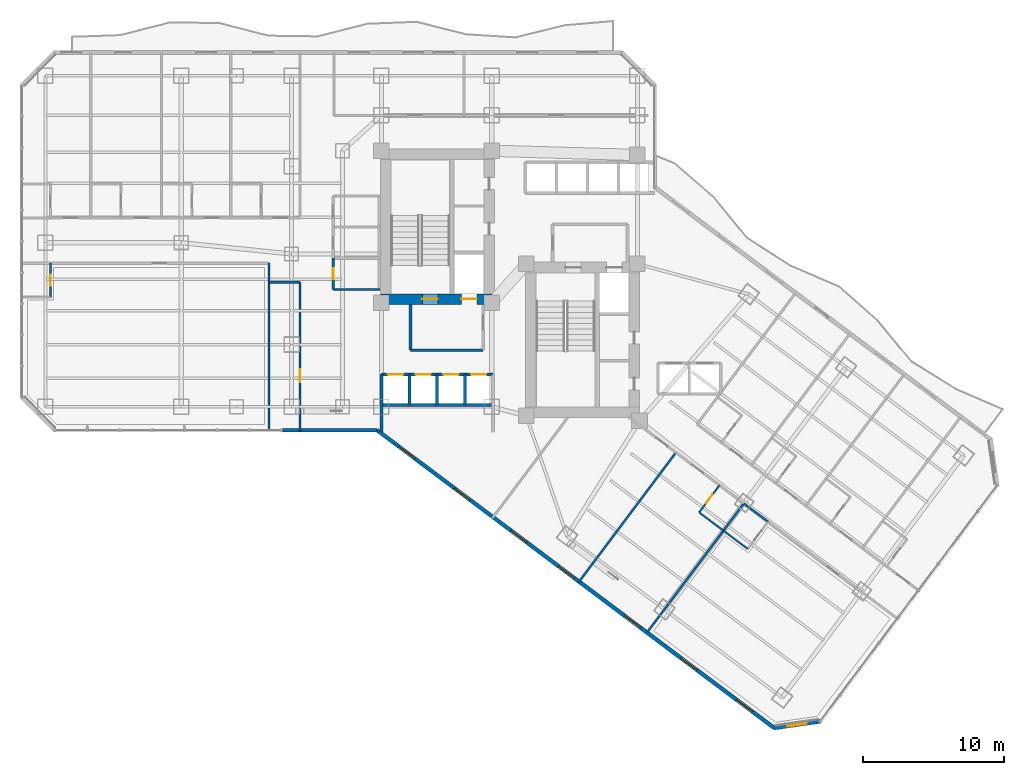
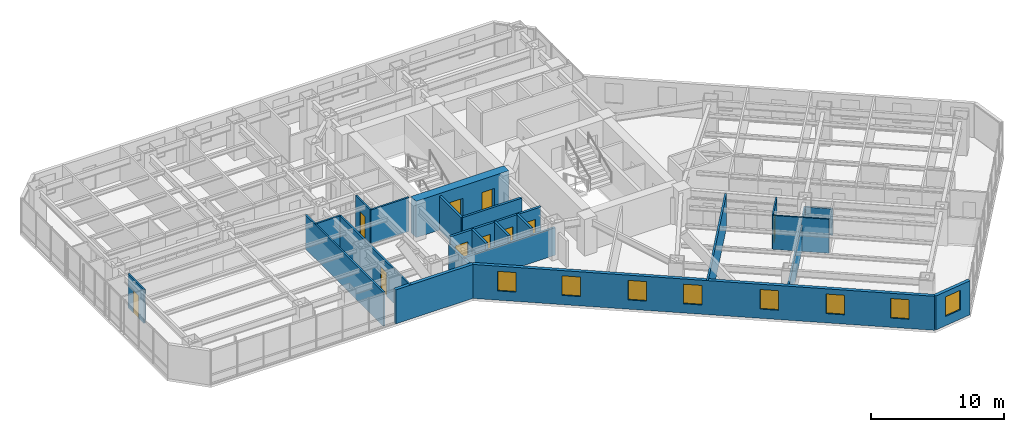
# One storey, part 22 of 33: 24 walls, 10 doors, 8 windows, 18 openings.
"""IFC4 building model written with IfcOpenShell, lengths in metres."""

import ifcopenshell
import ifcopenshell.guid

model = None  # the IFC model being written
_history = None  # IfcOwnerHistory: only IFC2X3 demands one
_inside = {}  # id of a spatial element -> (the spatial element, [elements in it])
_under = {}  # id of a project, library or spatial element -> (it, [spatial elements below it])
_declared = {}  # id of a project -> (the project, [libraries it declares])
_typed = {}  # id of a type object -> (the type object, [elements of that type])
_made_of = {}  # id of a material, layer set ... -> (it, [elements and type objects made of it])


def new_model(schema):
    """Start an empty IFC model of exactly this schema.

    Asked for "IFC4X3", IfcOpenShell would pick the latest addendum, in which some entities
    have other attributes; the version numbers below select the first issue.
    IFC2X3 requires an IfcOwnerHistory on every rooted entity: one is made here for all.
    """
    global model, _history
    if schema == "IFC4X3":
        model = ifcopenshell.file(schema_version=(4, 3, 0, 0))
    else:
        model = ifcopenshell.file(schema=schema)
    _inside.clear()
    _under.clear()
    _declared.clear()
    _typed.clear()
    _made_of.clear()
    _history = None
    if model.schema == "IFC2X3":
        org = make("IfcOrganization", Name="unknown")
        user = make(
            "IfcPersonAndOrganization",
            ThePerson=make("IfcPerson", FamilyName="unknown"),
            TheOrganization=org,
        )
        app = make(
            "IfcApplication",
            ApplicationDeveloper=org,
            Version="unknown",
            ApplicationFullName="unknown",
            ApplicationIdentifier="unknown",
        )
        _history = make(
            "IfcOwnerHistory",
            OwningUser=user,
            OwningApplication=app,
            ChangeAction="ADDED",
            CreationDate=0,
        )
    return model


def make(cls, **values):
    """One entity of the class cls with the attributes given. An attribute that is None is left unset."""
    return model.create_entity(
        cls, **{name: value for name, value in values.items() if value is not None}
    )


def rooted(cls, **values):
    """An entity with a GlobalId (a new one), such as an element, a storey or a relation."""
    return make(cls, GlobalId=ifcopenshell.guid.new(), OwnerHistory=_history, **values)


def si_unit(unit_type, name, prefix=None):
    """IfcSIUnit, for example si_unit("LENGTHUNIT", "METRE", prefix="MILLI")."""
    return make("IfcSIUnit", UnitType=unit_type, Prefix=prefix, Name=name)


def assignment(units):
    """IfcUnitAssignment: the units of a project."""
    return None if units is None else make("IfcUnitAssignment", Units=units)


def point(xyz):
    """IfcCartesianPoint."""
    return None if xyz is None else make("IfcCartesianPoint", Coordinates=xyz)


def direction(xyz):
    """IfcDirection."""
    return None if xyz is None else make("IfcDirection", DirectionRatios=xyz)


def frame(location, z_axis=None, x_axis=None):
    """IfcAxis2Placement3D, a coordinate frame: its origin and axes. An axis left out is left unset."""
    return make(
        "IfcAxis2Placement3D",
        Location=point(location),
        Axis=direction(z_axis),
        RefDirection=direction(x_axis),
    )


def frame_2d(location, x_axis=None):
    """IfcAxis2Placement2D, a coordinate frame in the plane: its origin and x axis."""
    return make(
        "IfcAxis2Placement2D", Location=point(location), RefDirection=direction(x_axis)
    )


def origin():
    """The frame at (0, 0, 0) with its axes left unset."""
    return frame((0.0, 0.0, 0.0))


def place(relative_to, where):
    """IfcLocalPlacement: puts the frame where relative to a parent placement (None: the world)."""
    return make(
        "IfcLocalPlacement", PlacementRelTo=relative_to, RelativePlacement=where
    )


def context(
    kind, dimensions, precision=None, world=None, true_north=None, identifier=None
):
    """IfcGeometricRepresentationContext, for example the 3D "Model" context."""
    return make(
        "IfcGeometricRepresentationContext",
        ContextIdentifier=identifier,
        ContextType=kind,
        CoordinateSpaceDimension=dimensions,
        Precision=precision,
        WorldCoordinateSystem=world,
        TrueNorth=true_north,
    )


def subcontext(parent, identifier, kind, view, scale=None):
    """IfcGeometricRepresentationSubContext, for example "Body" below "Model"."""
    return make(
        "IfcGeometricRepresentationSubContext",
        ContextIdentifier=identifier,
        ContextType=kind,
        ParentContext=parent,
        TargetScale=scale,
        TargetView=view,
    )


def project(units=None, contexts=None):
    """IfcProject with its units and contexts."""
    return rooted(
        "IfcProject",
        Name="project",
        RepresentationContexts=contexts,
        UnitsInContext=assignment(units),
    )


def spatial(cls, under=None, at=None, **own):
    """A site, building, storey or space (cls), placed at a placement, below another one or the project."""
    s = rooted(cls, ObjectPlacement=at, **own)
    if under is not None:
        _under.setdefault(under.id(), (under, []))[1].append(s)
    return s


def profile(cls, at=None, kind="AREA", **sizes):
    """A parametric profile (cls). Its sizes go by their IFC names, for example OverallWidth=200.0."""
    return make(cls, ProfileType=kind, Position=at, **sizes)


def rectangle(**sizes):
    """IfcRectangleProfileDef."""
    return profile("IfcRectangleProfileDef", **sizes)


def extrude(swept, where, along, depth):
    """IfcExtrudedAreaSolid: the profile swept, set in the frame where, extruded along a direction by depth."""
    return make(
        "IfcExtrudedAreaSolid",
        SweptArea=swept,
        Position=where,
        ExtrudedDirection=direction(along),
        Depth=depth,
    )


def shape(context_of_items, identifier, shape_type, items):
    """IfcShapeRepresentation: the items that make up one representation, for example the "Body"."""
    return make(
        "IfcShapeRepresentation",
        ContextOfItems=context_of_items,
        RepresentationIdentifier=identifier,
        RepresentationType=shape_type,
        Items=items,
    )


def material(Name=None, Category=None):
    """IfcMaterial."""
    return make("IfcMaterial", Name=Name, Category=Category)


def layer(
    of_material, thickness, ventilated=None, Name=None, Category=None, Priority=None
):
    """IfcMaterialLayer: one layer of a wall or slab, of a material (None: an air gap)."""
    return make(
        "IfcMaterialLayer",
        Material=of_material,
        LayerThickness=thickness,
        IsVentilated=ventilated,
        Name=Name,
        Category=Category,
        Priority=Priority,
    )


def layer_set(layers, Name=None):
    """IfcMaterialLayerSet."""
    return make("IfcMaterialLayerSet", MaterialLayers=layers, LayerSetName=Name)


def made_of(thing, what):
    """Note that an element or type object is made of a material, layer set ...; save() writes the relation."""
    if what is not None:
        _made_of.setdefault(what.id(), (what, []))[1].append(thing)
    return thing


def type_object(cls, material=None, **own):
    """A type object (cls), such as IfcWallType, which elements share."""
    return made_of(rooted(cls, **own), material)


def element(
    cls,
    number,
    at=None,
    inside=None,
    cuts=None,
    type_object=None,
    material=None,
    context=None,
    identifier="Body",
    shape_type=None,
    held_by="IfcProductDefinitionShape",
    body=None,
    shapes=None,
    **own,
):
    """One element of the class cls, such as IfcWall. Its Tag is "e" and its number.

    at: its placement. inside: the storey or other place that contains it. cuts: it is an
    opening in that element (IfcRelVoidsElement). A single representation is given by context,
    identifier, shape_type and body (its items); several are given by shapes. held_by: the class
    of the entity that holds the representations. save() writes the other relations.
    """
    e = rooted(cls, Tag="e%d" % number, ObjectPlacement=at, **own)
    if body is not None:
        shapes = [shape(context, identifier, shape_type, body)]
    if shapes is not None:
        e.Representation = make(held_by, Representations=shapes)
    if inside is not None:
        _inside.setdefault(inside.id(), (inside, []))[1].append(e)
    if cuts is not None:
        rooted(
            "IfcRelVoidsElement", RelatingBuildingElement=cuts, RelatedOpeningElement=e
        )
    if type_object is not None:
        _typed.setdefault(type_object.id(), (type_object, []))[1].append(e)
    return made_of(e, material)


def fill(opening, filler):
    """IfcRelFillsElement: the door or window that sits in an opening."""
    return rooted(
        "IfcRelFillsElement",
        RelatingOpeningElement=opening,
        RelatedBuildingElement=filler,
    )


def aggregate(whole, parts):
    """IfcRelAggregates: a whole, such as a stair, and the parts it consists of."""
    return rooted("IfcRelAggregates", RelatingObject=whole, RelatedObjects=parts)


def save(model, path):
    """Write the relations noted so far, then the file.

    IfcRelAggregates (storeys below a building ...), IfcRelContainedInSpatialStructure (elements
    in a storey), IfcRelDefinesByType, IfcRelAssociatesMaterial and IfcRelDeclares: one each for
    every whole, place, type object, material and project.
    """
    for whole, parts in _under.values():
        aggregate(whole, parts)
    for where, things in _inside.values():
        rooted(
            "IfcRelContainedInSpatialStructure",
            RelatedElements=things,
            RelatingStructure=where,
        )
    for kind, things in _typed.values():
        rooted("IfcRelDefinesByType", RelatedObjects=things, RelatingType=kind)
    for what, things in _made_of.values():
        rooted("IfcRelAssociatesMaterial", RelatedObjects=things, RelatingMaterial=what)
    for by, libraries in _declared.values():
        rooted("IfcRelDeclares", RelatingContext=by, RelatedDefinitions=libraries)
    model.write(path)


model = new_model("IFC4")

# Units and contexts
model_context = context("Model", 3, precision=1e-05, world=origin(), true_north=direction((0.0, 1.0)))
body_context = subcontext(model_context, "Body", "Model", "MODEL_VIEW")
ifc_project = project(units=[si_unit("LENGTHUNIT", "METRE"), si_unit("AREAUNIT", "SQUARE_METRE"), si_unit("VOLUMEUNIT", "CUBIC_METRE"), si_unit("PLANEANGLEUNIT", "RADIAN"), si_unit("MASSUNIT", "GRAM", prefix="KILO")], contexts=[model_context])

# Site, building, storey
site_placement = place(None, origin())
site = spatial("IfcSite", under=ifc_project, at=site_placement, CompositionType="ELEMENT")
building_placement = place(site_placement, origin())
building = spatial("IfcBuilding", under=site, at=building_placement, Name="Hatsunagi Terrace Concourse", CompositionType="ELEMENT")
storey_placement = place(building_placement, frame((0.0, 0.0, 56.699951171875)))
storey = spatial("IfcBuildingStorey", under=building, at=storey_placement, Name="L14", CompositionType="ELEMENT", Elevation=56.699951171875)

# Wall, openings, doors
ifc_material_1 = material(Name="Concrete Fc60", Category="concrete")
ifc_layer_1 = layer(ifc_material_1, 0.75)
ifc_layer_set_1 = layer_set([ifc_layer_1], Name="CoreShearWall_Fc60_750")
wall_type_1 = type_object("IfcWallType", Name="CoreShearWall_Fc60_750", PredefinedType="SHEAR", material=ifc_layer_set_1)
wall_1_placement = place(storey_placement, frame((25.469970703125, 32.81494140625, 0.0), z_axis=(0.0, 0.0, 1.0), x_axis=(1.0, 0.0, 0.0)))
wall_1 = element("IfcWall", 1, at=wall_1_placement, inside=storey, type_object=wall_type_1, Name="Core A Shear Wall S L14", PredefinedType="SHEAR", context=body_context, shape_type="SweptSolid", body=[
    extrude(rectangle(XDim=8.080078125, YDim=0.75, at=frame_2d((4.0400390625, 0.0))), origin(), (0.0, 0.0, 1.0), 3.35009765625),
])
opening_1_placement = place(wall_1_placement, frame((2.97998046875, 0.0, 0.0)))
opening_1 = element("IfcOpeningElement", 2, at=opening_1_placement, cuts=wall_1, Name="Opening DR-110S", PredefinedType="OPENING", context=body_context, shape_type="SweptSolid", body=[
    extrude(rectangle(XDim=1.10009765625, YDim=2.199951171875, at=frame_2d((0.550048828125, 1.10009765625))), frame((0.0, 0.385009765625, 0.0), z_axis=(0.0, -1.0, 0.0), x_axis=(1.0, 0.0, 0.0)), (0.0, 0.0, 1.0), 0.77001953125),
])
opening_2_placement = place(wall_1_placement, frame((5.72998046875, 0.0, 0.0)))
opening_2 = element("IfcOpeningElement", 3, at=opening_2_placement, cuts=wall_1, Name="Opening LD-01", PredefinedType="OPENING", context=body_context, shape_type="SweptSolid", body=[
    extrude(rectangle(XDim=1.10009765625, YDim=2.14990234375, at=frame_2d((0.550048828125, 1.074951171875))), frame((0.0, 0.385009765625, 0.0), z_axis=(0.0, -1.0, 0.0), x_axis=(1.0, 0.0, 0.0)), (0.0, 0.0, 1.0), 0.77001953125),
])
ifc_material_2 = material(Name="Stainless steel", Category="steel")
door_type_1 = type_object("IfcDoorType", Name="LiftLandingDoor_LD01", OperationType="SLIDING_TO_LEFT", PredefinedType="USERDEFINED", material=ifc_material_2)
door_1_placement = place(opening_2_placement, origin())
door_1 = element("IfcDoor", 4, at=door_1_placement, inside=storey, type_object=door_type_1, Name="Lift landing door FF-01 L14", ObjectType="SLIDING_LANDING_DOOR", OperationType="SLIDING_TO_LEFT", OverallHeight=2.14990234375, OverallWidth=1.10009765625, PredefinedType="USERDEFINED", context=body_context, shape_type="SweptSolid", body=[
    extrude(rectangle(XDim=1.10009765625, YDim=2.14990234375, at=frame_2d((0.550048828125, 1.074951171875))), frame((0.0, 0.02490234375, 0.0), z_axis=(0.0, -1.0, 0.0), x_axis=(1.0, 0.0, 0.0)), (0.0, 0.0, 1.0), 0.050048828125),
])
fill(opening_2, door_1)
ifc_material_3 = material(Name="Painted steel", Category="steel")
door_type_2 = type_object("IfcDoorType", Name="StairFireDoor_EI60_1100", OperationType="NOTDEFINED", PredefinedType="DOOR", material=ifc_material_3)
door_2_placement = place(opening_1_placement, origin())
door_2 = element("IfcDoor", 5, at=door_2_placement, inside=storey, type_object=door_type_2, Name="Stair ST-A Exit Door L14", OperationType="SINGLE_SWING_LEFT", OverallHeight=2.199951171875, OverallWidth=1.10009765625, PredefinedType="DOOR", context=body_context, shape_type="SweptSolid", body=[
    extrude(rectangle(XDim=1.10009765625, YDim=2.199951171875, at=frame_2d((0.550048828125, 1.10009765625))), frame((0.0, 0.02490234375, 0.0), z_axis=(0.0, -1.0, 0.0), x_axis=(1.0, 0.0, 0.0)), (0.0, 0.0, 1.0), 0.050048828125),
])
fill(opening_1, door_2)

# Wall, opening, door
ifc_material_4 = material(Name="Acoustic mineral board", Category="gypsum")
ifc_layer_2 = layer(ifc_material_4, 0.1201171875)
ifc_layer_set_2 = layer_set([ifc_layer_2], Name="PartitionWall_EI30_120")
wall_type_2 = type_object("IfcWallType", Name="PartitionWall_EI30_120", PredefinedType="PARTITIONING", material=ifc_layer_set_2)
wall_2_placement = place(storey_placement, frame((2.14990234375, 32.949951171875, 0.0), z_axis=(0.0, 0.0, 1.0), x_axis=(0.0, 1.0, 0.0)))
wall_2 = element("IfcWall", 6, at=wall_2_placement, inside=storey, type_object=wall_type_2, Name="Interior Partition IW-L14-066", PredefinedType="PARTITIONING", context=body_context, shape_type="SweptSolid", body=[
    extrude(rectangle(XDim=2.400146484375, YDim=0.1201171875, at=frame_2d((1.2001953125, 0.0))), origin(), (0.0, 0.0, 1.0), 3.130126953125),
])
opening_3_placement = place(wall_2_placement, frame((0.800048828125, 0.0, 0.0)))
opening_3 = element("IfcOpeningElement", 7, at=opening_3_placement, cuts=wall_2, Name="Opening DR-080", PredefinedType="OPENING", context=body_context, shape_type="SweptSolid", body=[
    extrude(rectangle(XDim=0.800048828125, YDim=2.06005859375, at=frame_2d((0.39990234375, 1.030029296875))), frame((0.0, 0.070068359375, 0.0), z_axis=(0.0, -1.0, 0.0), x_axis=(1.0, 0.0, 0.0)), (0.0, 0.0, 1.0), 0.14013671875),
])
ifc_material_5 = material(Name="Hardwood timber", Category="wood")
door_type_3 = type_object("IfcDoorType", Name="BathroomDoor_800", OperationType="NOTDEFINED", PredefinedType="DOOR", material=ifc_material_5)
door_3_placement = place(opening_3_placement, origin())
door_3 = element("IfcDoor", 8, at=door_3_placement, inside=storey, type_object=door_type_3, Name="En-Suite Bathroom L14-S1 Door", OperationType="SINGLE_SWING_RIGHT", OverallHeight=2.06005859375, OverallWidth=0.800048828125, PredefinedType="DOOR", context=body_context, shape_type="SweptSolid", body=[
    extrude(rectangle(XDim=0.800048828125, YDim=2.06005859375, at=frame_2d((0.39990234375, 1.030029296875))), frame((0.0, 0.02490234375, 0.0), z_axis=(0.0, -1.0, 0.0), x_axis=(1.0, 0.0, 0.0)), (0.0, 0.0, 1.0), 0.050048828125),
])
fill(opening_3, door_3)

wall_3_placement = place(storey_placement, frame((48.010009765625, 17.72998046875, 0.0), z_axis=(0.0, 0.0, 1.0), x_axis=(0.6, 0.8, 0.0)))
wall_3 = element("IfcWall", 9, at=wall_3_placement, inside=storey, type_object=wall_type_2, Name="Interior Partition IW-L14-093", PredefinedType="PARTITIONING", context=body_context, shape_type="SweptSolid", body=[
    extrude(rectangle(XDim=2.39990234375, YDim=0.1201171875, at=frame_2d((1.199951171875, 0.0))), origin(), (0.0, 0.0, 1.0), 3.130126953125),
])
opening_4_placement = place(wall_3_placement, frame((0.800048828125, 0.0, 0.0)))
opening_4 = element("IfcOpeningElement", 10, at=opening_4_placement, cuts=wall_3, Name="Opening DR-080", PredefinedType="OPENING", context=body_context, shape_type="SweptSolid", body=[
    extrude(rectangle(XDim=0.800048828125, YDim=2.06005859375, at=frame_2d((0.39990234375, 1.030029296875))), frame((0.0, 0.070068359375, 0.0), z_axis=(0.0, -1.0, 0.0), x_axis=(1.0, 0.0, 0.0)), (0.0, 0.0, 1.0), 0.14013671875),
])
door_4_placement = place(opening_4_placement, origin())
door_4 = element("IfcDoor", 11, at=door_4_placement, inside=storey, type_object=door_type_3, Name="En-Suite Bathroom L14-SESW1 Door", OperationType="SINGLE_SWING_LEFT", OverallHeight=2.06005859375, OverallWidth=0.800048828125, PredefinedType="DOOR", context=body_context, shape_type="SweptSolid", body=[
    extrude(rectangle(XDim=0.800048828125, YDim=2.06005859375, at=frame_2d((0.39990234375, 1.030029296875))), frame((0.0, 0.02490234375, 0.0), z_axis=(0.0, -1.0, 0.0), x_axis=(1.0, 0.0, 0.0)), (0.0, 0.0, 1.0), 0.050048828125),
])
fill(opening_4, door_4)

# Walls
for number, where, z_axis, x_axis, name in (
    (12, (48.010009765625, 17.72998046875, 0.0), (0.0, 0.0, 1.0), (0.79998637334, -0.60001816845, 0.0), "Interior Partition IW-L14-094"),
    (13, (49.72998046875, 16.43994140625, 0.0), (0.0, 0.0, 1.0), (0.79998637334, -0.60001816845, 0.0), "Interior Partition IW-L14-099"),
):
    element("IfcWall", number, at=place(storey_placement, frame(where, z_axis=z_axis, x_axis=x_axis)), inside=storey, type_object=wall_type_2, Name=name, PredefinedType="PARTITIONING", context=body_context, shape_type="SweptSolid", body=[
        extrude(rectangle(XDim=2.14990234375, YDim=0.1201171875, at=frame_2d((1.074951171875, 0.0))), origin(), (0.0, 0.0, 1.0), 3.130126953125),
    ])
ifc_material_6 = material(Name="Acoustic mineral board", Category="gypsum")
ifc_layer_3 = layer(ifc_material_6, 0.14990234375)
ifc_layer_set_3 = layer_set([ifc_layer_3], Name="PartitionWall_EI60_150")
wall_type_3 = type_object("IfcWallType", Name="PartitionWall_EI60_150", PredefinedType="PARTITIONING", material=ifc_layer_set_3)
wall_4_placement = place(storey_placement, frame((22.14990234375, 33.5, 0.0), z_axis=(0.0, 0.0, 1.0), x_axis=(1.0, 0.0, 0.0)))
element("IfcWall", 14, at=wall_4_placement, inside=storey, type_object=wall_type_3, Name="Interior Partition IW-L14-029", PredefinedType="PARTITIONING", context=body_context, shape_type="SweptSolid", body=[
    extrude(rectangle(XDim=3.300048828125, YDim=0.14990234375, at=frame_2d((1.64990234375, 0.0))), origin(), (0.0, 0.0, 1.0), 3.130126953125),
])

# Wall, opening, door
wall_5_placement = place(storey_placement, frame((22.14990234375, 33.5, 0.0), z_axis=(0.0, 0.0, 1.0), x_axis=(0.0, 1.0, 0.0)))
wall_5 = element("IfcWall", 15, at=wall_5_placement, inside=storey, type_object=wall_type_3, Name="Interior Partition IW-L14-034", PredefinedType="PARTITIONING", context=body_context, shape_type="SweptSolid", body=[
    extrude(rectangle(XDim=2.199951171875, YDim=0.14990234375, at=frame_2d((1.10009765625, 0.0))), origin(), (0.0, 0.0, 1.0), 3.130126953125),
])
opening_5_placement = place(wall_5_placement, frame((0.699951171875, 0.0, 0.0)))
opening_5 = element("IfcOpeningElement", 16, at=opening_5_placement, cuts=wall_5, Name="Opening DR-080", PredefinedType="OPENING", context=body_context, shape_type="SweptSolid", body=[
    extrude(rectangle(XDim=0.800048828125, YDim=2.06005859375, at=frame_2d((0.39990234375, 1.030029296875))), frame((0.0, 0.0849609375, 0.0), z_axis=(0.0, -1.0, 0.0), x_axis=(1.0, 0.0, 0.0)), (0.0, 0.0, 1.0), 0.169921875),
])
door_5_placement = place(opening_5_placement, origin())
door_5 = element("IfcDoor", 17, at=door_5_placement, inside=storey, type_object=door_type_3, Name="Accessible WC Door L14", OperationType="SINGLE_SWING_RIGHT", OverallHeight=2.06005859375, OverallWidth=0.800048828125, PredefinedType="DOOR", context=body_context, shape_type="SweptSolid", body=[
    extrude(rectangle(XDim=0.800048828125, YDim=2.06005859375, at=frame_2d((0.39990234375, 1.030029296875))), frame((0.0, 0.02490234375, 0.0), z_axis=(0.0, -1.0, 0.0), x_axis=(1.0, 0.0, 0.0)), (0.0, 0.0, 1.0), 0.050048828125),
])
fill(opening_5, door_5)

# Walls
wall_6_placement = place(storey_placement, frame((39.464111328125, 12.751953125, 0.0), z_axis=(0.0, 0.0, 1.0), x_axis=(0.6, 0.8, 0.0)))
element("IfcWall", 18, at=wall_6_placement, inside=storey, type_object=wall_type_3, Name="Interior Partition IW-L14-043", PredefinedType="PARTITIONING", context=body_context, shape_type="SweptSolid", body=[
    extrude(rectangle(XDim=11.510009765625, YDim=0.14990234375, at=frame_2d((5.7548828125, 0.0))), origin(), (0.0, 0.0, 1.0), 3.130126953125),
])
wall_7_placement = place(storey_placement, frame((17.60009765625, 23.60009765625, 0.0), z_axis=(0.0, 0.0, 1.0), x_axis=(0.0, 1.0, 0.0)))
element("IfcWall", 19, at=wall_7_placement, inside=storey, type_object=wall_type_3, Name="Interior Partition IW-L14-068", PredefinedType="PARTITIONING", context=body_context, shape_type="SweptSolid", body=[
    extrude(rectangle(XDim=11.75, YDim=0.14990234375, at=frame_2d((5.875, 0.0))), origin(), (0.0, 0.0, 1.0), 3.130126953125),
])
wall_8_placement = place(storey_placement, frame((17.60009765625, 34.0, 0.0), z_axis=(0.0, 0.0, 1.0), x_axis=(1.0, 0.0, 0.0)))
element("IfcWall", 20, at=wall_8_placement, inside=storey, type_object=wall_type_3, Name="Interior Partition IW-L14-069", PredefinedType="PARTITIONING", context=body_context, shape_type="SweptSolid", body=[
    extrude(rectangle(XDim=2.199951171875, YDim=0.14990234375, at=frame_2d((1.10009765625, 0.0))), origin(), (0.0, 0.0, 1.0), 3.130126953125),
])

# Wall, opening, door
wall_9_placement = place(storey_placement, frame((19.800048828125, 23.43994140625, 0.0), z_axis=(0.0, 0.0, 1.0), x_axis=(0.0, 1.0, 0.0)))
wall_9 = element("IfcWall", 21, at=wall_9_placement, inside=storey, type_object=wall_type_3, Name="Interior Partition IW-L14-070", PredefinedType="PARTITIONING", context=body_context, shape_type="SweptSolid", body=[
    extrude(rectangle(XDim=10.56005859375, YDim=0.14990234375, at=frame_2d((5.280029296875, 0.0))), origin(), (0.0, 0.0, 1.0), 3.130126953125),
])
opening_6_placement = place(wall_9_placement, frame((3.4951171875, 0.0, 0.0)))
opening_6 = element("IfcOpeningElement", 22, at=opening_6_placement, cuts=wall_9, Name="Opening DR-090", PredefinedType="OPENING", context=body_context, shape_type="SweptSolid", body=[
    extrude(rectangle(XDim=0.89990234375, YDim=2.14990234375, at=frame_2d((0.449951171875, 1.074951171875))), frame((0.0, 0.0849609375, 0.0), z_axis=(0.0, -1.0, 0.0), x_axis=(1.0, 0.0, 0.0)), (0.0, 0.0, 1.0), 0.169921875),
])
ifc_material_7 = material(Name="Hardwood timber", Category="wood")
door_type_4 = type_object("IfcDoorType", Name="CrownPavilionDoor_EI30_900", OperationType="NOTDEFINED", PredefinedType="DOOR", material=ifc_material_7)
door_6_placement = place(opening_6_placement, origin())
door_6 = element("IfcDoor", 23, at=door_6_placement, inside=storey, type_object=door_type_4, Name="Catering Pantry L14-HPAN Door", OperationType="SINGLE_SWING_RIGHT", OverallHeight=2.14990234375, OverallWidth=0.89990234375, PredefinedType="DOOR", context=body_context, shape_type="SweptSolid", body=[
    extrude(rectangle(XDim=0.89990234375, YDim=2.14990234375, at=frame_2d((0.449951171875, 1.074951171875))), frame((0.0, 0.02490234375, 0.0), z_axis=(0.0, -1.0, 0.0), x_axis=(1.0, 0.0, 0.0)), (0.0, 0.0, 1.0), 0.050048828125),
])
fill(opening_6, door_6)

# Walls
wall_10_placement = place(storey_placement, frame((44.360107421875, 9.280029296875, 0.0), z_axis=(0.0, 0.0, 1.0), x_axis=(0.599986233332, 0.800010324816, 0.0)))
element("IfcWall", 24, at=wall_10_placement, inside=storey, type_object=wall_type_3, Name="Interior Partition IW-L14-095", PredefinedType="PARTITIONING", context=body_context, shape_type="SweptSolid", body=[
    extrude(rectangle(XDim=11.349853515625, YDim=0.14990234375, at=frame_2d((5.6748046875, 0.0))), origin(), (0.0, 0.0, 1.0), 2.425048828125),
])
wall_11_placement = place(storey_placement, frame((51.169921875, 18.360107421875, 0.0), z_axis=(0.0, 0.0, 1.0), x_axis=(0.79998637334, -0.60001816845, 0.0)))
element("IfcWall", 25, at=wall_11_placement, inside=storey, type_object=wall_type_3, Name="Interior Partition IW-L14-096", PredefinedType="PARTITIONING", context=body_context, shape_type="SweptSolid", body=[
    extrude(rectangle(XDim=2.14990234375, YDim=0.14990234375, at=frame_2d((1.074951171875, 0.0))), origin(), (0.0, 0.0, 1.0), 2.425048828125),
])
ifc_material_8 = material(Name="Acoustic mineral board", Category="gypsum")
ifc_layer_4 = layer(ifc_material_8, 0.199951171875)
ifc_layer_set_4 = layer_set([ifc_layer_4], Name="ShaftWall_EI120_200")
wall_type_4 = type_object("IfcWallType", Name="ShaftWall_EI120_200", PredefinedType="STANDARD", material=ifc_layer_set_4)
wall_12_placement = place(storey_placement, frame((27.60009765625, 29.199951171875, 0.0), z_axis=(0.0, 0.0, 1.0), x_axis=(1.0, 0.0, 0.0)))
element("IfcWall", 26, at=wall_12_placement, inside=storey, type_object=wall_type_4, Name="Interior Partition IW-L14-005", PredefinedType="STANDARD", context=body_context, shape_type="SweptSolid", body=[
    extrude(rectangle(XDim=5.14990234375, YDim=0.199951171875, at=frame_2d((2.574951171875, 0.0))), origin(), (0.0, 0.0, 1.0), 3.130126953125),
])
wall_13_placement = place(storey_placement, frame((27.60009765625, 29.199951171875, 0.0), z_axis=(0.0, 0.0, 1.0), x_axis=(0.0, 1.0, 0.0)))
element("IfcWall", 27, at=wall_13_placement, inside=storey, type_object=wall_type_4, Name="Interior Partition IW-L14-006", PredefinedType="STANDARD", context=body_context, shape_type="SweptSolid", body=[
    extrude(rectangle(XDim=3.239990234375, YDim=0.199951171875, at=frame_2d((1.6201171875, 0.0))), origin(), (0.0, 0.0, 1.0), 3.130126953125),
])
wall_14_placement = place(storey_placement, frame((25.550048828125, 23.39990234375, 0.0), z_axis=(0.0, 0.0, 1.0), x_axis=(0.0, 1.0, 0.0)))
element("IfcWall", 28, at=wall_14_placement, inside=storey, type_object=wall_type_4, Name="Interior Partition IW-L14-011", PredefinedType="STANDARD", context=body_context, shape_type="SweptSolid", body=[
    extrude(rectangle(XDim=4.080078125, YDim=0.199951171875, at=frame_2d((2.0400390625, 0.0))), origin(), (0.0, 0.0, 1.0), 2.425048828125),
])
wall_15_placement = place(storey_placement, frame((25.550048828125, 25.320068359375, 0.0), z_axis=(0.0, 0.0, 1.0), x_axis=(1.0, 0.0, 0.0)))
element("IfcWall", 29, at=wall_15_placement, inside=storey, type_object=wall_type_4, Name="Interior Partition IW-L14-013", PredefinedType="STANDARD", context=body_context, shape_type="SweptSolid", body=[
    extrude(rectangle(XDim=7.8798828125, YDim=0.199951171875, at=frame_2d((3.93994140625, 0.0))), origin(), (0.0, 0.0, 1.0), 2.525146484375),
])
for number, where, z_axis, x_axis, name in (
    (30, (27.530029296875, 25.320068359375, 0.0), (0.0, 0.0, 1.0), (0.0, 1.0, 0.0), "Interior Partition IW-L14-014"),
    (31, (29.489990234375, 25.320068359375, 0.0), (0.0, 0.0, 1.0), (0.0, 1.0, 0.0), "Interior Partition IW-L14-015"),
    (32, (31.449951171875, 25.320068359375, 0.0), (0.0, 0.0, 1.0), (0.0, 1.0, 0.0), "Interior Partition IW-L14-016"),
):
    element("IfcWall", number, at=place(storey_placement, frame(where, z_axis=z_axis, x_axis=x_axis)), inside=storey, type_object=wall_type_4, Name=name, PredefinedType="STANDARD", context=body_context, shape_type="SweptSolid", body=[
        extrude(rectangle(XDim=2.159912109375, YDim=0.199951171875, at=frame_2d((1.080078125, 0.0))), origin(), (0.0, 0.0, 1.0), 3.130126953125),
    ])

# Wall, openings, doors
wall_16_placement = place(storey_placement, frame((25.550048828125, 27.47998046875, 0.0), z_axis=(0.0, 0.0, 1.0), x_axis=(1.0, 0.0, 0.0)))
wall_16 = element("IfcWall", 33, at=wall_16_placement, inside=storey, type_object=wall_type_4, Name="Interior Partition IW-L14-017", PredefinedType="STANDARD", context=body_context, shape_type="SweptSolid", body=[
    extrude(rectangle(XDim=7.8798828125, YDim=0.199951171875, at=frame_2d((3.93994140625, 0.0))), origin(), (0.0, 0.0, 1.0), 3.130126953125),
])
opening_7_placement = place(wall_16_placement, frame((0.4599609375, 0.0, 0.0)))
opening_7 = element("IfcOpeningElement", 34, at=opening_7_placement, cuts=wall_16, Name="Opening LD-03", PredefinedType="OPENING", context=body_context, shape_type="SweptSolid", body=[
    extrude(rectangle(XDim=1.080078125, YDim=2.14990234375, at=frame_2d((0.5400390625, 1.074951171875))), frame((0.0, 0.10986328125, 0.0), z_axis=(0.0, -1.0, 0.0), x_axis=(1.0, 0.0, 0.0)), (0.0, 0.0, 1.0), 0.219970703125),
])
opening_8_placement = place(wall_16_placement, frame((2.419921875, 0.0, 0.0)))
opening_8 = element("IfcOpeningElement", 35, at=opening_8_placement, cuts=wall_16, Name="Opening LD-03", PredefinedType="OPENING", context=body_context, shape_type="SweptSolid", body=[
    extrude(rectangle(XDim=1.080078125, YDim=2.14990234375, at=frame_2d((0.5400390625, 1.074951171875))), frame((0.0, 0.10986328125, 0.0), z_axis=(0.0, -1.0, 0.0), x_axis=(1.0, 0.0, 0.0)), (0.0, 0.0, 1.0), 0.219970703125),
])
opening_9_placement = place(wall_16_placement, frame((4.3798828125, 0.0, 0.0)))
opening_9 = element("IfcOpeningElement", 36, at=opening_9_placement, cuts=wall_16, Name="Opening LD-03", PredefinedType="OPENING", context=body_context, shape_type="SweptSolid", body=[
    extrude(rectangle(XDim=1.080078125, YDim=2.14990234375, at=frame_2d((0.5400390625, 1.074951171875))), frame((0.0, 0.10986328125, 0.0), z_axis=(0.0, -1.0, 0.0), x_axis=(1.0, 0.0, 0.0)), (0.0, 0.0, 1.0), 0.219970703125),
])
opening_10_placement = place(wall_16_placement, frame((6.340087890625, 0.0, 0.0)))
opening_10 = element("IfcOpeningElement", 37, at=opening_10_placement, cuts=wall_16, Name="Opening LD-03", PredefinedType="OPENING", context=body_context, shape_type="SweptSolid", body=[
    extrude(rectangle(XDim=1.080078125, YDim=2.14990234375, at=frame_2d((0.5400390625, 1.074951171875))), frame((0.0, 0.10986328125, 0.0), z_axis=(0.0, -1.0, 0.0), x_axis=(1.0, 0.0, 0.0)), (0.0, 0.0, 1.0), 0.219970703125),
])
ifc_material_9 = material(Name="Stainless steel", Category="steel")
door_type_5 = type_object("IfcDoorType", Name="LiftLandingDoor_LD03", OperationType="SLIDING_TO_LEFT", PredefinedType="USERDEFINED", material=ifc_material_9)
door_7_placement = place(opening_7_placement, origin())
door_7 = element("IfcDoor", 38, at=door_7_placement, inside=storey, type_object=door_type_5, Name="Lift landing door PL-01 L14", ObjectType="SLIDING_LANDING_DOOR", OperationType="SLIDING_TO_LEFT", OverallHeight=2.14990234375, OverallWidth=1.080078125, PredefinedType="USERDEFINED", context=body_context, shape_type="SweptSolid", body=[
    extrude(rectangle(XDim=1.080078125, YDim=2.14990234375, at=frame_2d((0.5400390625, 1.074951171875))), frame((0.0, 0.02490234375, 0.0), z_axis=(0.0, -1.0, 0.0), x_axis=(1.0, 0.0, 0.0)), (0.0, 0.0, 1.0), 0.050048828125),
])
fill(opening_7, door_7)
door_8_placement = place(opening_8_placement, origin())
door_8 = element("IfcDoor", 39, at=door_8_placement, inside=storey, type_object=door_type_5, Name="Lift landing door PL-02 L14", ObjectType="SLIDING_LANDING_DOOR", OperationType="SLIDING_TO_LEFT", OverallHeight=2.14990234375, OverallWidth=1.080078125, PredefinedType="USERDEFINED", context=body_context, shape_type="SweptSolid", body=[
    extrude(rectangle(XDim=1.080078125, YDim=2.14990234375, at=frame_2d((0.5400390625, 1.074951171875))), frame((0.0, 0.02490234375, 0.0), z_axis=(0.0, -1.0, 0.0), x_axis=(1.0, 0.0, 0.0)), (0.0, 0.0, 1.0), 0.050048828125),
])
fill(opening_8, door_8)
door_9_placement = place(opening_9_placement, origin())
door_9 = element("IfcDoor", 40, at=door_9_placement, inside=storey, type_object=door_type_5, Name="Lift landing door PL-03 L14", ObjectType="SLIDING_LANDING_DOOR", OperationType="SLIDING_TO_LEFT", OverallHeight=2.14990234375, OverallWidth=1.080078125, PredefinedType="USERDEFINED", context=body_context, shape_type="SweptSolid", body=[
    extrude(rectangle(XDim=1.080078125, YDim=2.14990234375, at=frame_2d((0.5400390625, 1.074951171875))), frame((0.0, 0.02490234375, 0.0), z_axis=(0.0, -1.0, 0.0), x_axis=(1.0, 0.0, 0.0)), (0.0, 0.0, 1.0), 0.050048828125),
])
fill(opening_9, door_9)
door_10_placement = place(opening_10_placement, origin())
door_10 = element("IfcDoor", 41, at=door_10_placement, inside=storey, type_object=door_type_5, Name="Lift landing door PL-04 L14", ObjectType="SLIDING_LANDING_DOOR", OperationType="SLIDING_TO_LEFT", OverallHeight=2.14990234375, OverallWidth=1.080078125, PredefinedType="USERDEFINED", context=body_context, shape_type="SweptSolid", body=[
    extrude(rectangle(XDim=1.080078125, YDim=2.14990234375, at=frame_2d((0.5400390625, 1.074951171875))), frame((0.0, 0.02490234375, 0.0), z_axis=(0.0, -1.0, 0.0), x_axis=(1.0, 0.0, 0.0)), (0.0, 0.0, 1.0), 0.050048828125),
])
fill(opening_10, door_10)

# Wall, opening, window
ifc_material_10 = material(Name="Autoclaved Lightweight Concrete and Terracotta Cladding", Category="masonry")
ifc_layer_5 = layer(ifc_material_10, 0.280029296875)
ifc_layer_set_5 = layer_set([ifc_layer_5], Name="TerracottaSpandrelWall_280")
wall_type_5 = type_object("IfcWallType", Name="TerracottaSpandrelWall_280", PredefinedType="STANDARD", material=ifc_layer_set_5)
wall_17_placement = place(storey_placement, frame((56.56298828125, 2.949951171875, 0.0), z_axis=(0.0, 0.0, 1.0), x_axis=(-0.989977778067, -0.141223223777, 0.0)))
wall_17 = element("IfcWall", 42, at=wall_17_placement, inside=storey, type_object=wall_type_5, Name="Exterior Spandrel Wall EW-L14-04", PredefinedType="STANDARD", context=body_context, shape_type="SweptSolid", body=[
    extrude(rectangle(XDim=3.27783203125, YDim=0.280029296875, at=frame_2d((1.638916015625, 0.0))), origin(), (0.0, 0.0, 1.0), 3.130126953125),
])
opening_11_placement = place(wall_17_placement, frame((0.93896484375, 0.0, 0.85009765625)))
opening_11 = element("IfcOpeningElement", 43, at=opening_11_placement, cuts=wall_17, Name="Opening WIN-02", PredefinedType="OPENING", context=body_context, shape_type="SweptSolid", body=[
    extrude(rectangle(XDim=1.39990234375, YDim=1.800048828125, at=frame_2d((0.699951171875, 0.89990234375))), frame((0.0, 0.14990234375, 0.0), z_axis=(0.0, -1.0, 0.0), x_axis=(1.0, 0.0, 0.0)), (0.0, 0.0, 1.0), 0.300048828125),
])
ifc_material_11 = material(Name="Thermally Broken Aluminium and Low-E Triple Glazing", Category="aluminium")
window_type = type_object("IfcWindowType", Name="HotelOperableVentWindow_1400x1800", PartitioningType="DOUBLE_PANEL_VERTICAL", PredefinedType="WINDOW", material=ifc_material_11)
window_1_placement = place(opening_11_placement, origin())
window_1 = element("IfcWindow", 44, at=window_1_placement, inside=storey, type_object=window_type, Name="Hotel Guestroom Window L14-04-1", OverallHeight=1.800048828125, OverallWidth=1.39990234375, PartitioningType="SINGLE_PANEL", PredefinedType="WINDOW", context=body_context, shape_type="SweptSolid", body=[
    extrude(rectangle(XDim=1.39990234375, YDim=1.800048828125, at=frame_2d((0.699951171875, 0.89990234375))), frame((0.0, 0.030029296875, 0.0), z_axis=(0.0, -1.0, 0.0), x_axis=(1.0, 0.0, 0.0)), (0.0, 0.0, 1.0), 0.06005859375),
])
fill(opening_11, window_1)

# Wall, openings, windows
wall_18_placement = place(storey_placement, frame((53.318115234375, 2.487060546875, 0.0), z_axis=(0.0, 0.0, 1.0), x_axis=(-0.800004174678, 0.599994433723, 0.0)))
wall_18 = element("IfcWall", 45, at=wall_18_placement, inside=storey, type_object=wall_type_5, Name="Exterior Spandrel Wall EW-L14-05", PredefinedType="STANDARD", context=body_context, shape_type="SweptSolid", body=[
    extrude(rectangle(XDim=35.088623046875, YDim=0.280029296875, at=frame_2d((17.54443359375, 0.0))), origin(), (0.0, 0.0, 1.0), 3.130126953125),
])
opening_12_placement = place(wall_18_placement, frame((1.930908203125, 0.0, 0.85009765625)))
opening_12 = element("IfcOpeningElement", 46, at=opening_12_placement, cuts=wall_18, Name="Opening WIN-02", PredefinedType="OPENING", context=body_context, shape_type="SweptSolid", body=[
    extrude(rectangle(XDim=1.39990234375, YDim=1.800048828125, at=frame_2d((0.699951171875, 0.89990234375))), frame((0.0, 0.14990234375, 0.0), z_axis=(0.0, -1.0, 0.0), x_axis=(1.0, 0.0, 0.0)), (0.0, 0.0, 1.0), 0.300048828125),
])
opening_13_placement = place(wall_18_placement, frame((6.819091796875, 0.0, 0.85009765625)))
opening_13 = element("IfcOpeningElement", 47, at=opening_13_placement, cuts=wall_18, Name="Opening WIN-02", PredefinedType="OPENING", context=body_context, shape_type="SweptSolid", body=[
    extrude(rectangle(XDim=1.39990234375, YDim=1.800048828125, at=frame_2d((0.699951171875, 0.89990234375))), frame((0.0, 0.14990234375, 0.0), z_axis=(0.0, -1.0, 0.0), x_axis=(1.0, 0.0, 0.0)), (0.0, 0.0, 1.0), 0.300048828125),
])
opening_14_placement = place(wall_18_placement, frame((11.83203125, 0.0, 0.85009765625)))
opening_14 = element("IfcOpeningElement", 48, at=opening_14_placement, cuts=wall_18, Name="Opening WIN-02", PredefinedType="OPENING", context=body_context, shape_type="SweptSolid", body=[
    extrude(rectangle(XDim=1.39990234375, YDim=1.800048828125, at=frame_2d((0.699951171875, 0.89990234375))), frame((0.0, 0.14990234375, 0.0), z_axis=(0.0, -1.0, 0.0), x_axis=(1.0, 0.0, 0.0)), (0.0, 0.0, 1.0), 0.300048828125),
])
opening_15_placement = place(wall_18_placement, frame((17.64697265625, 0.0, 0.85009765625)))
opening_15 = element("IfcOpeningElement", 49, at=opening_15_placement, cuts=wall_18, Name="Opening WIN-02", PredefinedType="OPENING", context=body_context, shape_type="SweptSolid", body=[
    extrude(rectangle(XDim=1.39990234375, YDim=1.800048828125, at=frame_2d((0.699951171875, 0.89990234375))), frame((0.0, 0.14990234375, 0.0), z_axis=(0.0, -1.0, 0.0), x_axis=(1.0, 0.0, 0.0)), (0.0, 0.0, 1.0), 0.300048828125),
])
opening_16_placement = place(wall_18_placement, frame((21.85693359375, 0.0, 0.85009765625)))
opening_16 = element("IfcOpeningElement", 50, at=opening_16_placement, cuts=wall_18, Name="Opening WIN-02", PredefinedType="OPENING", context=body_context, shape_type="SweptSolid", body=[
    extrude(rectangle(XDim=1.39990234375, YDim=1.800048828125, at=frame_2d((0.699951171875, 0.89990234375))), frame((0.0, 0.14990234375, 0.0), z_axis=(0.0, -1.0, 0.0), x_axis=(1.0, 0.0, 0.0)), (0.0, 0.0, 1.0), 0.300048828125),
])
opening_17_placement = place(wall_18_placement, frame((26.8701171875, 0.0, 0.85009765625)))
opening_17 = element("IfcOpeningElement", 51, at=opening_17_placement, cuts=wall_18, Name="Opening WIN-02", PredefinedType="OPENING", context=body_context, shape_type="SweptSolid", body=[
    extrude(rectangle(XDim=1.39990234375, YDim=1.800048828125, at=frame_2d((0.699951171875, 0.89990234375))), frame((0.0, 0.14990234375, 0.0), z_axis=(0.0, -1.0, 0.0), x_axis=(1.0, 0.0, 0.0)), (0.0, 0.0, 1.0), 0.300048828125),
])
opening_18_placement = place(wall_18_placement, frame((31.757080078125, 0.0, 0.85009765625)))
opening_18 = element("IfcOpeningElement", 52, at=opening_18_placement, cuts=wall_18, Name="Opening WIN-02", PredefinedType="OPENING", context=body_context, shape_type="SweptSolid", body=[
    extrude(rectangle(XDim=1.39990234375, YDim=1.800048828125, at=frame_2d((0.699951171875, 0.89990234375))), frame((0.0, 0.14990234375, 0.0), z_axis=(0.0, -1.0, 0.0), x_axis=(1.0, 0.0, 0.0)), (0.0, 0.0, 1.0), 0.300048828125),
])
window_2_placement = place(opening_12_placement, origin())
window_2 = element("IfcWindow", 53, at=window_2_placement, inside=storey, type_object=window_type, Name="Hotel Perimeter Window L14-05-1", OverallHeight=1.800048828125, OverallWidth=1.39990234375, PartitioningType="SINGLE_PANEL", PredefinedType="WINDOW", context=body_context, shape_type="SweptSolid", body=[
    extrude(rectangle(XDim=1.39990234375, YDim=1.800048828125, at=frame_2d((0.699951171875, 0.89990234375))), frame((0.0, 0.030029296875, 0.0), z_axis=(0.0, -1.0, 0.0), x_axis=(1.0, 0.0, 0.0)), (0.0, 0.0, 1.0), 0.06005859375),
])
fill(opening_12, window_2)
window_3_placement = place(opening_13_placement, origin())
window_3 = element("IfcWindow", 54, at=window_3_placement, inside=storey, type_object=window_type, Name="Hotel Perimeter Window L14-05-2", OverallHeight=1.800048828125, OverallWidth=1.39990234375, PartitioningType="SINGLE_PANEL", PredefinedType="WINDOW", context=body_context, shape_type="SweptSolid", body=[
    extrude(rectangle(XDim=1.39990234375, YDim=1.800048828125, at=frame_2d((0.699951171875, 0.89990234375))), frame((0.0, 0.030029296875, 0.0), z_axis=(0.0, -1.0, 0.0), x_axis=(1.0, 0.0, 0.0)), (0.0, 0.0, 1.0), 0.06005859375),
])
fill(opening_13, window_3)
window_4_placement = place(opening_14_placement, origin())
window_4 = element("IfcWindow", 55, at=window_4_placement, inside=storey, type_object=window_type, Name="Hotel Perimeter Window L14-05-3", OverallHeight=1.800048828125, OverallWidth=1.39990234375, PartitioningType="SINGLE_PANEL", PredefinedType="WINDOW", context=body_context, shape_type="SweptSolid", body=[
    extrude(rectangle(XDim=1.39990234375, YDim=1.800048828125, at=frame_2d((0.699951171875, 0.89990234375))), frame((0.0, 0.030029296875, 0.0), z_axis=(0.0, -1.0, 0.0), x_axis=(1.0, 0.0, 0.0)), (0.0, 0.0, 1.0), 0.06005859375),
])
fill(opening_14, window_4)
window_5_placement = place(opening_15_placement, origin())
window_5 = element("IfcWindow", 56, at=window_5_placement, inside=storey, type_object=window_type, Name="Hotel Perimeter Window L14-05-4", OverallHeight=1.800048828125, OverallWidth=1.39990234375, PartitioningType="SINGLE_PANEL", PredefinedType="WINDOW", context=body_context, shape_type="SweptSolid", body=[
    extrude(rectangle(XDim=1.39990234375, YDim=1.800048828125, at=frame_2d((0.699951171875, 0.89990234375))), frame((0.0, 0.030029296875, 0.0), z_axis=(0.0, -1.0, 0.0), x_axis=(1.0, 0.0, 0.0)), (0.0, 0.0, 1.0), 0.06005859375),
])
fill(opening_15, window_5)
window_6_placement = place(opening_16_placement, origin())
window_6 = element("IfcWindow", 57, at=window_6_placement, inside=storey, type_object=window_type, Name="Hotel Perimeter Window L14-05-5", OverallHeight=1.800048828125, OverallWidth=1.39990234375, PartitioningType="SINGLE_PANEL", PredefinedType="WINDOW", context=body_context, shape_type="SweptSolid", body=[
    extrude(rectangle(XDim=1.39990234375, YDim=1.800048828125, at=frame_2d((0.699951171875, 0.89990234375))), frame((0.0, 0.030029296875, 0.0), z_axis=(0.0, -1.0, 0.0), x_axis=(1.0, 0.0, 0.0)), (0.0, 0.0, 1.0), 0.06005859375),
])
fill(opening_16, window_6)
window_7_placement = place(opening_17_placement, origin())
window_7 = element("IfcWindow", 58, at=window_7_placement, inside=storey, type_object=window_type, Name="Hotel Perimeter Window L14-05-6", OverallHeight=1.800048828125, OverallWidth=1.39990234375, PartitioningType="SINGLE_PANEL", PredefinedType="WINDOW", context=body_context, shape_type="SweptSolid", body=[
    extrude(rectangle(XDim=1.39990234375, YDim=1.800048828125, at=frame_2d((0.699951171875, 0.89990234375))), frame((0.0, 0.030029296875, 0.0), z_axis=(0.0, -1.0, 0.0), x_axis=(1.0, 0.0, 0.0)), (0.0, 0.0, 1.0), 0.06005859375),
])
fill(opening_17, window_7)
window_8_placement = place(opening_18_placement, origin())
window_8 = element("IfcWindow", 59, at=window_8_placement, inside=storey, type_object=window_type, Name="Hotel Perimeter Window L14-05-7", OverallHeight=1.800048828125, OverallWidth=1.39990234375, PartitioningType="SINGLE_PANEL", PredefinedType="WINDOW", context=body_context, shape_type="SweptSolid", body=[
    extrude(rectangle(XDim=1.39990234375, YDim=1.800048828125, at=frame_2d((0.699951171875, 0.89990234375))), frame((0.0, 0.030029296875, 0.0), z_axis=(0.0, -1.0, 0.0), x_axis=(1.0, 0.0, 0.0)), (0.0, 0.0, 1.0), 0.06005859375),
])
fill(opening_18, window_8)

# Wall
wall_19_placement = place(storey_placement, frame((25.2470703125, 23.5400390625, 0.0), z_axis=(0.0, 0.0, 1.0), x_axis=(-1.0, 0.0, 0.0)))
element("IfcWall", 60, at=wall_19_placement, inside=storey, type_object=wall_type_5, Name="Exterior Spandrel Wall EW-L14-06", PredefinedType="STANDARD", context=body_context, shape_type="SweptSolid", body=[
    extrude(rectangle(XDim=6.7470703125, YDim=0.280029296875, at=frame_2d((3.37353515625, 0.0))), origin(), (0.0, 0.0, 1.0), 3.130126953125),
])

save(model, "model.ifc")
